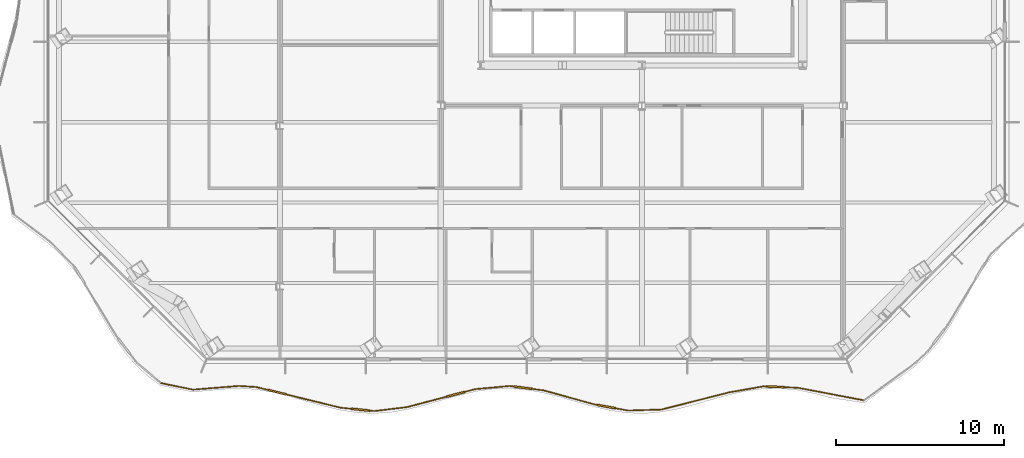
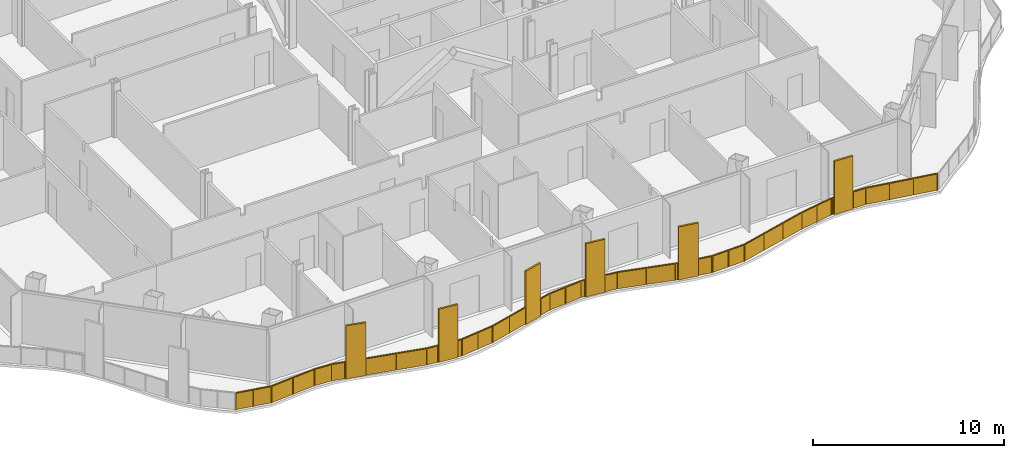
# One storey, part 14 of 19: 1 railing.
"""IFC4 building model written with IfcOpenShell, lengths in metres."""

from ifc_helpers import new_model, si_unit, direction, frame, origin, origin_2d, place, context, subcontext, project, spatial, polyline, rectangle, outline, extrude, material, type_object, element, save


model = new_model("IFC4")

# Units and contexts
model_context = context("Model", 3, precision=1e-05, world=origin(), true_north=direction((0.0, 1.0)))
body_context = subcontext(model_context, "Body", "Model", "MODEL_VIEW")
ifc_project = project(units=[si_unit("LENGTHUNIT", "METRE"), si_unit("AREAUNIT", "SQUARE_METRE"), si_unit("VOLUMEUNIT", "CUBIC_METRE"), si_unit("PLANEANGLEUNIT", "RADIAN"), si_unit("MASSUNIT", "GRAM", prefix="KILO")], contexts=[model_context])

# Site, building, storey
site_placement = place(None, origin())
site = spatial("IfcSite", under=ifc_project, at=site_placement, CompositionType="ELEMENT")
building_placement = place(site_placement, origin())
building = spatial("IfcBuilding", under=site, at=building_placement, Name="Cairn Pilgrim Tower", CompositionType="ELEMENT")
storey_placement = place(building_placement, frame((0.0, 0.0, 90.60009765625)))
storey = spatial("IfcBuildingStorey", under=building, at=storey_placement, Name="L21", CompositionType="ELEMENT", Elevation=90.60009765625)

# Railing
ifc_material = material(Name="Bronze anodised aluminium rail, posts and fin screens with laminated glass infill", Category="aluminium")
railing_type = type_object("IfcRailingType", Name="BALCONY GUARD WITH FIN SCREENS", PredefinedType="GUARDRAIL", material=ifc_material)
railing_placement = place(storey_placement, frame((-21.50048828125, -24.964111328125, 0.0)))
element("IfcRailing", 1, at=railing_placement, inside=storey, type_object=railing_type, Name="Balcony guard BGF-8 with fin screens", PredefinedType="GUARDRAIL", context=body_context, shape_type="SweptSolid", body=[
    extrude(rectangle(XDim=0.050048828125, YDim=0.050048828125, at=origin_2d()), frame((0.0, 0.0, 1.0751953125), z_axis=(0.97987880779, -0.199593391784, 0.0), x_axis=(0.199593391784, 0.97987880779, 0.0)), (0.0, 0.0, 1.0), 1.95703125),
    extrude(rectangle(XDim=0.050048828125, YDim=0.050048828125, at=origin_2d()), frame((1.917724609375, -0.390625, 1.0751953125), z_axis=(0.996788509865, 0.080079127126, 0.0), x_axis=(-0.080079127126, 0.996788509865, 0.0)), (0.0, 0.0, 1.0), 2.731689453125),
    extrude(rectangle(XDim=0.050048828125, YDim=0.050048828125, at=origin_2d()), frame((4.640625, -0.171875, 1.0751953125), z_axis=(0.998193842621, -0.060075390576, 0.0), x_axis=(0.060075390576, 0.998193842621, 0.0)), (0.0, 0.0, 1.0), 1.036376953125),
    extrude(rectangle(XDim=1.10009765625, YDim=0.110107421875, at=origin_2d()), frame((6.9384765625, -0.54345703125, 0.0), z_axis=(0.0, 0.0, 1.0), x_axis=(0.971322740199, -0.237764872033, 0.0)), (0.0, 0.0, 1.0), 3.39990234375),
    extrude(rectangle(XDim=0.050048828125, YDim=0.050048828125, at=origin_2d()), frame((5.675048828125, -0.234130859375, 1.0751953125), z_axis=(0.971322740199, -0.237764872033, 0.0), x_axis=(0.237764872033, 0.971322740199, 0.0)), (0.0, 0.0, 1.0), 0.750732421875),
    extrude(rectangle(XDim=0.050048828125, YDim=0.050048828125, at=origin_2d()), frame((7.472900390625, -0.674072265625, 1.0751953125), z_axis=(0.971322740199, -0.237764872033, 0.0), x_axis=(0.237764872033, 0.971322740199, 0.0)), (0.0, 0.0, 1.0), 3.35400390625),
    extrude(rectangle(XDim=1.10009765625, YDim=0.110107421875, at=origin_2d()), frame((11.919921875, -1.59033203125, 0.0), z_axis=(0.0, 0.0, 1.0), x_axis=(0.995057676602, -0.099298641659, 0.0)), (0.0, 0.0, 1.0), 3.39990234375),
    extrude(rectangle(XDim=0.050048828125, YDim=0.050048828125, at=origin_2d()), frame((10.730712890625, -1.4716796875, 1.0751953125), z_axis=(0.995057676602, -0.099298641659, 0.0), x_axis=(0.099298641659, 0.995057676602, 0.0)), (0.0, 0.0, 1.0), 0.64501953125),
    extrude(rectangle(XDim=0.050048828125, YDim=0.050048828125, at=origin_2d()), frame((12.467041015625, -1.64501953125, 1.0751953125), z_axis=(0.995057676602, -0.099298641659, 0.0), x_axis=(0.099298641659, 0.995057676602, 0.0)), (0.0, 0.0, 1.0), 0.2587890625),
    extrude(rectangle(XDim=0.050048828125, YDim=0.050048828125, at=origin_2d()), frame((12.724609375, -1.670654296875, 1.0751953125), z_axis=(0.992678251449, 0.120788613287, 0.0), x_axis=(-0.120788613287, 0.992678251449, 0.0)), (0.0, 0.0, 1.0), 2.009033203125),
    extrude(rectangle(XDim=1.10009765625, YDim=0.110107421875, at=origin_2d()), frame((17.575927734375, -0.67333984375, 0.0), z_axis=(0.0, 0.0, 1.0), x_axis=(0.966847338892, 0.255355092524, 0.0)), (0.0, 0.0, 1.0), 3.39990234375),
    extrude(rectangle(XDim=0.050048828125, YDim=0.050048828125, at=origin_2d()), frame((14.718994140625, -1.427978515625, 1.0751953125), z_axis=(0.966847338892, 0.255355092524, 0.0), x_axis=(-0.255355092524, 0.966847338892, 0.0)), (0.0, 0.0, 1.0), 2.405029296875),
    extrude(rectangle(XDim=0.050048828125, YDim=0.050048828125, at=origin_2d()), frame((18.10791015625, -0.532958984375, 1.0751953125), z_axis=(0.966847338892, 0.255355092524, 0.0), x_axis=(-0.255355092524, 0.966847338892, 0.0)), (0.0, 0.0, 1.0), 0.677978515625),
    extrude(rectangle(XDim=0.050048828125, YDim=0.050048828125, at=origin_2d()), frame((18.76318359375, -0.35986328125, 1.0751953125), z_axis=(0.99588737229, 0.090599899075, 0.0), x_axis=(-0.090599899075, 0.99588737229, 0.0)), (0.0, 0.0, 1.0), 2.058837890625),
    extrude(rectangle(XDim=1.10009765625, YDim=0.110107421875, at=origin_2d()), frame((21.59912109375, -0.275634765625, 0.0), z_axis=(0.0, 0.0, 1.0), x_axis=(0.991616883413, -0.129212834236, 0.0)), (0.0, 0.0, 1.0), 3.39990234375),
    extrude(rectangle(XDim=0.050048828125, YDim=0.050048828125, at=origin_2d()), frame((20.8134765625, -0.17333984375, 1.0751953125), z_axis=(0.991616883413, -0.129212834236, 0.0), x_axis=(0.129212834236, 0.991616883413, 0.0)), (0.0, 0.0, 1.0), 0.242431640625),
    extrude(rectangle(XDim=0.050048828125, YDim=0.050048828125, at=origin_2d()), frame((22.14453125, -0.3466796875, 1.0751953125), z_axis=(0.991616883413, -0.129212834236, 0.0), x_axis=(0.129212834236, 0.991616883413, 0.0)), (0.0, 0.0, 1.0), 0.722900390625),
    extrude(rectangle(XDim=0.050048828125, YDim=0.050048828125, at=origin_2d()), frame((22.861328125, -0.440185546875, 1.0751953125), z_axis=(0.964002899306, -0.265891726329, 0.0), x_axis=(0.265891726329, 0.964002899306, 0.0)), (0.0, 0.0, 1.0), 3.1484375),
    extrude(rectangle(XDim=1.10009765625, YDim=0.110107421875, at=origin_2d()), frame((26.585205078125, -1.402587890625, 0.0), z_axis=(0.0, 0.0, 1.0), x_axis=(0.983881444956, -0.178821984866, 0.0)), (0.0, 0.0, 1.0), 3.39990234375),
    extrude(rectangle(XDim=0.050048828125, YDim=0.050048828125, at=origin_2d()), frame((25.896484375, -1.27734375, 1.0751953125), z_axis=(0.983881444956, -0.178821984866, 0.0), x_axis=(0.178821984866, 0.983881444956, 0.0)), (0.0, 0.0, 1.0), 0.150146484375),
    extrude(rectangle(XDim=0.050048828125, YDim=0.050048828125, at=origin_2d()), frame((27.12646484375, -1.5009765625, 1.0751953125), z_axis=(0.983881444956, -0.178821984866, 0.0), x_axis=(0.178821984866, 0.983881444956, 0.0)), (0.0, 0.0, 1.0), 0.781494140625),
    extrude(rectangle(XDim=0.050048828125, YDim=0.050048828125, at=origin_2d()), frame((27.895263671875, -1.640625, 1.0751953125), z_axis=(0.999525627478, 0.030798052111, 0.0), x_axis=(-0.030798052111, 0.999525627478, 0.0)), (0.0, 0.0, 1.0), 1.98974609375),
    extrude(rectangle(XDim=0.050048828125, YDim=0.050048828125, at=origin_2d()), frame((29.884033203125, -1.579345703125, 1.0751953125), z_axis=(0.969048950368, 0.246868652913, 0.0), x_axis=(-0.246868652913, 0.969048950368, 0.0)), (0.0, 0.0, 1.0), 4.160400390625),
    extrude(rectangle(XDim=0.050048828125, YDim=0.050048828125, at=origin_2d()), frame((33.915771484375, -0.55224609375, 1.0751953125), z_axis=(0.985151194634, 0.171689032008, 0.0), x_axis=(-0.171689032008, 0.985151194634, 0.0)), (0.0, 0.0, 1.0), 2.0732421875),
    extrude(rectangle(XDim=1.10009765625, YDim=0.110107421875, at=origin_2d()), frame((36.657958984375, -0.224365234375, 0.0), z_axis=(0.0, 0.0, 1.0), x_axis=(0.999194286274, -0.040134502321, 0.0)), (0.0, 0.0, 1.0), 3.39990234375),
    extrude(rectangle(XDim=0.050048828125, YDim=0.050048828125, at=origin_2d()), frame((35.958251953125, -0.1962890625, 1.0751953125), z_axis=(0.999194286274, -0.040134502321, 0.0), x_axis=(0.040134502321, 0.999194286274, 0.0)), (0.0, 0.0, 1.0), 0.150390625),
    extrude(rectangle(XDim=0.050048828125, YDim=0.050048828125, at=origin_2d()), frame((37.20751953125, -0.24658203125, 1.0751953125), z_axis=(0.999194286274, -0.040134502321, 0.0), x_axis=(0.040134502321, 0.999194286274, 0.0)), (0.0, 0.0, 1.0), 0.799560546875),
    extrude(rectangle(XDim=0.050048828125, YDim=0.050048828125, at=origin_2d()), frame((38.006591796875, -0.278564453125, 1.0751953125), z_axis=(0.982461085783, -0.186467731586, 0.0), x_axis=(0.186467731586, 0.982461085783, 0.0)), (0.0, 0.0, 1.0), 3.9697265625),
    extrude(rectangle(XDim=0.050048828125, YDim=0.050048828125, at=origin_2d()), origin(), (0.0, 0.0, 1.0), 1.050048828125),
    extrude(rectangle(XDim=0.050048828125, YDim=0.050048828125, at=origin_2d()), frame((0.958984375, -0.1953125, 0.0)), (0.0, 0.0, 1.0), 1.050048828125),
    extrude(rectangle(XDim=0.050048828125, YDim=0.050048828125, at=origin_2d()), frame((1.917724609375, -0.390625, 0.0)), (0.0, 0.0, 1.0), 1.050048828125),
    extrude(rectangle(XDim=0.050048828125, YDim=0.050048828125, at=origin_2d()), frame((3.279296875, -0.28125, 0.0)), (0.0, 0.0, 1.0), 1.050048828125),
    extrude(rectangle(XDim=0.050048828125, YDim=0.050048828125, at=origin_2d()), frame((4.640625, -0.171875, 0.0)), (0.0, 0.0, 1.0), 1.050048828125),
    extrude(rectangle(XDim=0.050048828125, YDim=0.050048828125, at=origin_2d()), frame((5.675048828125, -0.234130859375, 0.0)), (0.0, 0.0, 1.0), 1.050048828125),
    extrude(rectangle(XDim=0.050048828125, YDim=0.050048828125, at=origin_2d()), frame((6.380126953125, -0.40673828125, 0.0)), (0.0, 0.0, 1.0), 1.050048828125),
    extrude(rectangle(XDim=0.050048828125, YDim=0.050048828125, at=origin_2d()), frame((7.4970703125, -0.68017578125, 0.0)), (0.0, 0.0, 1.0), 1.050048828125),
    extrude(rectangle(XDim=0.050048828125, YDim=0.050048828125, at=origin_2d()), frame((9.114013671875, -1.075927734375, 0.0)), (0.0, 0.0, 1.0), 1.050048828125),
    extrude(rectangle(XDim=0.050048828125, YDim=0.050048828125, at=origin_2d()), frame((10.730712890625, -1.4716796875, 0.0)), (0.0, 0.0, 1.0), 1.050048828125),
    extrude(rectangle(XDim=0.050048828125, YDim=0.050048828125, at=origin_2d()), frame((11.34765625, -1.533203125, 0.0)), (0.0, 0.0, 1.0), 1.050048828125),
    extrude(rectangle(XDim=0.050048828125, YDim=0.050048828125, at=origin_2d()), frame((12.491943359375, -1.6474609375, 0.0)), (0.0, 0.0, 1.0), 1.050048828125),
    extrude(rectangle(XDim=0.050048828125, YDim=0.050048828125, at=origin_2d()), frame((12.724609375, -1.670654296875, 0.0)), (0.0, 0.0, 1.0), 1.050048828125),
    extrude(rectangle(XDim=0.050048828125, YDim=0.050048828125, at=origin_2d()), frame((13.7216796875, -1.54931640625, 0.0)), (0.0, 0.0, 1.0), 1.050048828125),
    extrude(rectangle(XDim=0.050048828125, YDim=0.050048828125, at=origin_2d()), frame((14.718994140625, -1.427978515625, 0.0)), (0.0, 0.0, 1.0), 1.050048828125),
    extrude(rectangle(XDim=0.050048828125, YDim=0.050048828125, at=origin_2d()), frame((15.86962890625, -1.1240234375, 0.0)), (0.0, 0.0, 1.0), 1.050048828125),
    extrude(rectangle(XDim=0.050048828125, YDim=0.050048828125, at=origin_2d()), frame((17.02001953125, -0.8203125, 0.0)), (0.0, 0.0, 1.0), 1.050048828125),
    extrude(rectangle(XDim=0.050048828125, YDim=0.050048828125, at=origin_2d()), frame((18.132080078125, -0.526611328125, 0.0)), (0.0, 0.0, 1.0), 1.050048828125),
    extrude(rectangle(XDim=0.050048828125, YDim=0.050048828125, at=origin_2d()), frame((18.76318359375, -0.35986328125, 0.0)), (0.0, 0.0, 1.0), 1.050048828125),
    extrude(rectangle(XDim=0.050048828125, YDim=0.050048828125, at=origin_2d()), frame((19.788330078125, -0.2666015625, 0.0)), (0.0, 0.0, 1.0), 1.050048828125),
    extrude(rectangle(XDim=0.050048828125, YDim=0.050048828125, at=origin_2d()), frame((20.8134765625, -0.17333984375, 0.0)), (0.0, 0.0, 1.0), 1.050048828125),
    extrude(rectangle(XDim=0.050048828125, YDim=0.050048828125, at=origin_2d()), frame((21.029052734375, -0.201416015625, 0.0)), (0.0, 0.0, 1.0), 1.050048828125),
    extrude(rectangle(XDim=0.050048828125, YDim=0.050048828125, at=origin_2d()), frame((22.16943359375, -0.35009765625, 0.0)), (0.0, 0.0, 1.0), 1.050048828125),
    extrude(rectangle(XDim=0.050048828125, YDim=0.050048828125, at=origin_2d()), frame((22.861328125, -0.440185546875, 0.0)), (0.0, 0.0, 1.0), 1.050048828125),
    extrude(rectangle(XDim=0.050048828125, YDim=0.050048828125, at=origin_2d()), frame((24.37890625, -0.85888671875, 0.0)), (0.0, 0.0, 1.0), 1.050048828125),
    extrude(rectangle(XDim=0.050048828125, YDim=0.050048828125, at=origin_2d()), frame((25.896484375, -1.27734375, 0.0)), (0.0, 0.0, 1.0), 1.050048828125),
    extrude(rectangle(XDim=0.050048828125, YDim=0.050048828125, at=origin_2d()), frame((26.01953125, -1.2998046875, 0.0)), (0.0, 0.0, 1.0), 1.050048828125),
    extrude(rectangle(XDim=0.050048828125, YDim=0.050048828125, at=origin_2d()), frame((27.151123046875, -1.50537109375, 0.0)), (0.0, 0.0, 1.0), 1.050048828125),
    extrude(rectangle(XDim=0.050048828125, YDim=0.050048828125, at=origin_2d()), frame((27.895263671875, -1.640625, 0.0)), (0.0, 0.0, 1.0), 1.050048828125),
    extrude(rectangle(XDim=0.050048828125, YDim=0.050048828125, at=origin_2d()), frame((28.8896484375, -1.60986328125, 0.0)), (0.0, 0.0, 1.0), 1.050048828125),
    extrude(rectangle(XDim=0.050048828125, YDim=0.050048828125, at=origin_2d()), frame((29.884033203125, -1.579345703125, 0.0)), (0.0, 0.0, 1.0), 1.050048828125),
    extrude(rectangle(XDim=0.050048828125, YDim=0.050048828125, at=origin_2d()), frame((31.22802734375, -1.237060546875, 0.0)), (0.0, 0.0, 1.0), 1.050048828125),
    extrude(rectangle(XDim=0.050048828125, YDim=0.050048828125, at=origin_2d()), frame((32.57177734375, -0.89453125, 0.0)), (0.0, 0.0, 1.0), 1.050048828125),
    extrude(rectangle(XDim=0.050048828125, YDim=0.050048828125, at=origin_2d()), frame((33.915771484375, -0.55224609375, 0.0)), (0.0, 0.0, 1.0), 1.050048828125),
    extrude(rectangle(XDim=0.050048828125, YDim=0.050048828125, at=origin_2d()), frame((34.93701171875, -0.374267578125, 0.0)), (0.0, 0.0, 1.0), 1.050048828125),
    extrude(rectangle(XDim=0.050048828125, YDim=0.050048828125, at=origin_2d()), frame((35.958251953125, -0.1962890625, 0.0)), (0.0, 0.0, 1.0), 1.050048828125),
    extrude(rectangle(XDim=0.050048828125, YDim=0.050048828125, at=origin_2d()), frame((36.08349609375, -0.201416015625, 0.0)), (0.0, 0.0, 1.0), 1.050048828125),
    extrude(rectangle(XDim=0.050048828125, YDim=0.050048828125, at=origin_2d()), frame((37.232666015625, -0.24755859375, 0.0)), (0.0, 0.0, 1.0), 1.050048828125),
    extrude(rectangle(XDim=0.050048828125, YDim=0.050048828125, at=origin_2d()), frame((38.006591796875, -0.278564453125, 0.0)), (0.0, 0.0, 1.0), 1.050048828125),
    extrude(rectangle(XDim=0.050048828125, YDim=0.050048828125, at=origin_2d()), frame((39.306640625, -0.525390625, 0.0)), (0.0, 0.0, 1.0), 1.050048828125),
    extrude(rectangle(XDim=0.050048828125, YDim=0.050048828125, at=origin_2d()), frame((40.606689453125, -0.77197265625, 0.0)), (0.0, 0.0, 1.0), 1.050048828125),
    extrude(rectangle(XDim=0.050048828125, YDim=0.050048828125, at=origin_2d()), frame((41.90673828125, -1.018798828125, 0.0)), (0.0, 0.0, 1.0), 1.050048828125),
    extrude(outline(polyline([(0.02490234375, 0.0), (0.95361328125, 0.0), (0.95361328125, 1.050048828125), (0.02490234375, 1.050048828125), (0.02490234375, 0.0)])), frame((0.001220703125, 0.005859375, 0.0), z_axis=(-0.199593391784, -0.97987880779, 0.0), x_axis=(0.97987880779, -0.199593391784, 0.0)), (0.0, 0.0, 1.0), 0.011962890625),
    extrude(outline(polyline([(0.02490234375, 0.0), (0.95361328125, 0.0), (0.95361328125, 1.050048828125), (0.02490234375, 1.050048828125), (0.02490234375, 0.0)])), frame((0.9599609375, -0.189453125, 0.0), z_axis=(-0.199593391784, -0.97987880779, 0.0), x_axis=(0.97987880779, -0.199593391784, 0.0)), (0.0, 0.0, 1.0), 0.011962890625),
    extrude(outline(polyline([(0.02490234375, 0.0), (1.3408203125, 0.0), (1.3408203125, 1.050048828125), (0.02490234375, 1.050048828125), (0.02490234375, 0.0)])), frame((1.917236328125, -0.384765625, 0.0), z_axis=(0.080079127126, -0.996788509865, 0.0), x_axis=(0.996788509865, 0.080079127126, 0.0)), (0.0, 0.0, 1.0), 0.011962890625),
    extrude(outline(polyline([(0.02490234375, 0.0), (1.3408203125, 0.0), (1.3408203125, 1.050048828125), (0.02490234375, 1.050048828125), (0.02490234375, 0.0)])), frame((3.27880859375, -0.275390625, 0.0), z_axis=(0.080079127126, -0.996788509865, 0.0), x_axis=(0.996788509865, 0.080079127126, 0.0)), (0.0, 0.0, 1.0), 0.011962890625),
    extrude(outline(polyline([(0.02490234375, 0.0), (1.01123046875, 0.0), (1.01123046875, 1.050048828125), (0.02490234375, 1.050048828125), (0.02490234375, 0.0)])), frame((4.640869140625, -0.166015625, 0.0), z_axis=(-0.060075390576, -0.998193842621, 0.0), x_axis=(0.998193842621, -0.060075390576, 0.0)), (0.0, 0.0, 1.0), 0.011962890625),
    extrude(outline(polyline([(0.02490234375, 0.0), (0.70068359375, 0.0), (0.70068359375, 1.050048828125), (0.02490234375, 1.050048828125), (0.02490234375, 0.0)])), frame((5.676513671875, -0.228271484375, 0.0), z_axis=(-0.237764872033, -0.971322740199, 0.0), x_axis=(0.971322740199, -0.237764872033, 0.0)), (0.0, 0.0, 1.0), 0.011962890625),
    extrude(outline(polyline([(0.02490234375, 0.0), (1.639404296875, 0.0), (1.639404296875, 1.050048828125), (0.02490234375, 1.050048828125), (0.02490234375, 0.0)])), frame((7.49853515625, -0.67431640625, 0.0), z_axis=(-0.237764872033, -0.971322740199, 0.0), x_axis=(0.971322740199, -0.237764872033, 0.0)), (0.0, 0.0, 1.0), 0.011962890625),
    extrude(outline(polyline([(0.02490234375, 0.0), (1.639404296875, 0.0), (1.639404296875, 1.050048828125), (0.02490234375, 1.050048828125), (0.02490234375, 0.0)])), frame((9.115234375, -1.070068359375, 0.0), z_axis=(-0.237764872033, -0.971322740199, 0.0), x_axis=(0.971322740199, -0.237764872033, 0.0)), (0.0, 0.0, 1.0), 0.011962890625),
    extrude(outline(polyline([(0.02490234375, 0.0), (0.594970703125, 0.0), (0.594970703125, 1.050048828125), (0.02490234375, 1.050048828125), (0.02490234375, 0.0)])), frame((10.731201171875, -1.4658203125, 0.0), z_axis=(-0.099298641659, -0.995057676602, 0.0), x_axis=(0.995057676602, -0.099298641659, 0.0)), (0.0, 0.0, 1.0), 0.011962890625),
    extrude(outline(polyline([(0.02490234375, 0.0), (0.208740234375, 0.0), (0.208740234375, 1.050048828125), (0.02490234375, 1.050048828125), (0.02490234375, 0.0)])), frame((12.49267578125, -1.6416015625, 0.0), z_axis=(-0.099298641659, -0.995057676602, 0.0), x_axis=(0.995057676602, -0.099298641659, 0.0)), (0.0, 0.0, 1.0), 0.011962890625),
    extrude(outline(polyline([(0.02490234375, 0.0), (0.9794921875, 0.0), (0.9794921875, 1.050048828125), (0.02490234375, 1.050048828125), (0.02490234375, 0.0)])), frame((12.723876953125, -1.664794921875, 0.0), z_axis=(0.120788613287, -0.992678251449, 0.0), x_axis=(0.992678251449, 0.120788613287, 0.0)), (0.0, 0.0, 1.0), 0.011962890625),
    extrude(outline(polyline([(0.02490234375, 0.0), (0.9794921875, 0.0), (0.9794921875, 1.050048828125), (0.02490234375, 1.050048828125), (0.02490234375, 0.0)])), frame((13.72119140625, -1.54345703125, 0.0), z_axis=(0.120788613287, -0.992678251449, 0.0), x_axis=(0.992678251449, 0.120788613287, 0.0)), (0.0, 0.0, 1.0), 0.011962890625),
    extrude(outline(polyline([(0.02490234375, 0.0), (1.1650390625, 0.0), (1.1650390625, 1.050048828125), (0.02490234375, 1.050048828125), (0.02490234375, 0.0)])), frame((14.717529296875, -1.422119140625, 0.0), z_axis=(0.255355092524, -0.966847338892, 0.0), x_axis=(0.966847338892, 0.255355092524, 0.0)), (0.0, 0.0, 1.0), 0.011962890625),
    extrude(outline(polyline([(0.02490234375, 0.0), (1.1650390625, 0.0), (1.1650390625, 1.050048828125), (0.02490234375, 1.050048828125), (0.02490234375, 0.0)])), frame((15.867919921875, -1.118408203125, 0.0), z_axis=(0.255355092524, -0.966847338892, 0.0), x_axis=(0.966847338892, 0.255355092524, 0.0)), (0.0, 0.0, 1.0), 0.011962890625),
    extrude(outline(polyline([(0.02490234375, 0.0), (0.6279296875, 0.0), (0.6279296875, 1.050048828125), (0.02490234375, 1.050048828125), (0.02490234375, 0.0)])), frame((18.13037109375, -0.520751953125, 0.0), z_axis=(0.255355092524, -0.966847338892, 0.0), x_axis=(0.966847338892, 0.255355092524, 0.0)), (0.0, 0.0, 1.0), 0.011962890625),
    extrude(outline(polyline([(0.02490234375, 0.0), (1.00439453125, 0.0), (1.00439453125, 1.050048828125), (0.02490234375, 1.050048828125), (0.02490234375, 0.0)])), frame((18.7626953125, -0.35400390625, 0.0), z_axis=(0.090599899075, -0.99588737229, 0.0), x_axis=(0.99588737229, 0.090599899075, 0.0)), (0.0, 0.0, 1.0), 0.011962890625),
    extrude(outline(polyline([(0.02490234375, 0.0), (1.00439453125, 0.0), (1.00439453125, 1.050048828125), (0.02490234375, 1.050048828125), (0.02490234375, 0.0)])), frame((19.787841796875, -0.2607421875, 0.0), z_axis=(0.090599899075, -0.99588737229, 0.0), x_axis=(0.99588737229, 0.090599899075, 0.0)), (0.0, 0.0, 1.0), 0.011962890625),
    extrude(outline(polyline([(0.02490234375, 0.0), (0.1923828125, 0.0), (0.1923828125, 1.050048828125), (0.02490234375, 1.050048828125), (0.02490234375, 0.0)])), frame((20.814208984375, -0.16748046875, 0.0), z_axis=(-0.129212834236, -0.991616883413, 0.0), x_axis=(0.991616883413, -0.129212834236, 0.0)), (0.0, 0.0, 1.0), 0.011962890625),
    extrude(outline(polyline([(0.02490234375, 0.0), (0.6728515625, 0.0), (0.6728515625, 1.050048828125), (0.02490234375, 1.050048828125), (0.02490234375, 0.0)])), frame((22.170166015625, -0.343994140625, 0.0), z_axis=(-0.129212834236, -0.991616883413, 0.0), x_axis=(0.991616883413, -0.129212834236, 0.0)), (0.0, 0.0, 1.0), 0.011962890625),
    extrude(outline(polyline([(0.02490234375, 0.0), (1.54931640625, 0.0), (1.54931640625, 1.050048828125), (0.02490234375, 1.050048828125), (0.02490234375, 0.0)])), frame((22.863037109375, -0.434326171875, 0.0), z_axis=(-0.265891726329, -0.964002899306, 0.0), x_axis=(0.964002899306, -0.265891726329, 0.0)), (0.0, 0.0, 1.0), 0.011962890625),
    extrude(outline(polyline([(0.02490234375, 0.0), (1.54931640625, 0.0), (1.54931640625, 1.050048828125), (0.02490234375, 1.050048828125), (0.02490234375, 0.0)])), frame((24.380615234375, -0.85302734375, 0.0), z_axis=(-0.265891726329, -0.964002899306, 0.0), x_axis=(0.964002899306, -0.265891726329, 0.0)), (0.0, 0.0, 1.0), 0.011962890625),
    extrude(outline(polyline([(0.02490234375, 0.0), (0.10009765625, 0.0), (0.10009765625, 1.050048828125), (0.02490234375, 1.050048828125), (0.02490234375, 0.0)])), frame((25.8974609375, -1.271484375, 0.0), z_axis=(-0.178821984866, -0.983881444956, 0.0), x_axis=(0.983881444956, -0.178821984866, 0.0)), (0.0, 0.0, 1.0), 0.011962890625),
    extrude(outline(polyline([(0.02490234375, 0.0), (0.7314453125, 0.0), (0.7314453125, 1.050048828125), (0.02490234375, 1.050048828125), (0.02490234375, 0.0)])), frame((27.152099609375, -1.49951171875, 0.0), z_axis=(-0.178821984866, -0.983881444956, 0.0), x_axis=(0.983881444956, -0.178821984866, 0.0)), (0.0, 0.0, 1.0), 0.011962890625),
    extrude(outline(polyline([(0.02490234375, 0.0), (0.9697265625, 0.0), (0.9697265625, 1.050048828125), (0.02490234375, 1.050048828125), (0.02490234375, 0.0)])), frame((27.89501953125, -1.634765625, 0.0), z_axis=(0.030798052111, -0.999525627478, 0.0), x_axis=(0.999525627478, 0.030798052111, 0.0)), (0.0, 0.0, 1.0), 0.011962890625),
    extrude(outline(polyline([(0.02490234375, 0.0), (0.9697265625, 0.0), (0.9697265625, 1.050048828125), (0.02490234375, 1.050048828125), (0.02490234375, 0.0)])), frame((28.889404296875, -1.60400390625, 0.0), z_axis=(0.030798052111, -0.999525627478, 0.0), x_axis=(0.999525627478, 0.030798052111, 0.0)), (0.0, 0.0, 1.0), 0.011962890625),
    extrude(outline(polyline([(0.02490234375, 0.0), (1.36181640625, 0.0), (1.36181640625, 1.050048828125), (0.02490234375, 1.050048828125), (0.02490234375, 0.0)])), frame((29.882568359375, -1.573486328125, 0.0), z_axis=(0.246868652913, -0.969048950368, 0.0), x_axis=(0.969048950368, 0.246868652913, 0.0)), (0.0, 0.0, 1.0), 0.011962890625),
    extrude(outline(polyline([(0.02490234375, 0.0), (1.36181640625, 0.0), (1.36181640625, 1.050048828125), (0.02490234375, 1.050048828125), (0.02490234375, 0.0)])), frame((31.2265625, -1.231201171875, 0.0), z_axis=(0.246868652913, -0.969048950368, 0.0), x_axis=(0.969048950368, 0.246868652913, 0.0)), (0.0, 0.0, 1.0), 0.011962890625),
    extrude(outline(polyline([(0.02490234375, 0.0), (1.36181640625, 0.0), (1.36181640625, 1.050048828125), (0.02490234375, 1.050048828125), (0.02490234375, 0.0)])), frame((32.5703125, -0.888916015625, 0.0), z_axis=(0.246868652913, -0.969048950368, 0.0), x_axis=(0.969048950368, 0.246868652913, 0.0)), (0.0, 0.0, 1.0), 0.011962890625),
    extrude(outline(polyline([(0.02490234375, 0.0), (1.01171875, 0.0), (1.01171875, 1.050048828125), (0.02490234375, 1.050048828125), (0.02490234375, 0.0)])), frame((33.914794921875, -0.54638671875, 0.0), z_axis=(0.171689032008, -0.985151194634, 0.0), x_axis=(0.985151194634, 0.171689032008, 0.0)), (0.0, 0.0, 1.0), 0.011962890625),
    extrude(outline(polyline([(0.02490234375, 0.0), (1.01171875, 0.0), (1.01171875, 1.050048828125), (0.02490234375, 1.050048828125), (0.02490234375, 0.0)])), frame((34.93603515625, -0.368408203125, 0.0), z_axis=(0.171689032008, -0.985151194634, 0.0), x_axis=(0.985151194634, 0.171689032008, 0.0)), (0.0, 0.0, 1.0), 0.011962890625),
    extrude(outline(polyline([(0.02490234375, 0.0), (0.100341796875, 0.0), (0.100341796875, 1.050048828125), (0.02490234375, 1.050048828125), (0.02490234375, 0.0)])), frame((35.95849609375, -0.1904296875, 0.0), z_axis=(-0.040134502321, -0.999194286274, 0.0), x_axis=(0.999194286274, -0.040134502321, 0.0)), (0.0, 0.0, 1.0), 0.011962890625),
    extrude(outline(polyline([(0.02490234375, 0.0), (0.74951171875, 0.0), (0.74951171875, 1.050048828125), (0.02490234375, 1.050048828125), (0.02490234375, 0.0)])), frame((37.23291015625, -0.241455078125, 0.0), z_axis=(-0.040134502321, -0.999194286274, 0.0), x_axis=(0.999194286274, -0.040134502321, 0.0)), (0.0, 0.0, 1.0), 0.011962890625),
    extrude(outline(polyline([(0.02490234375, 0.0), (1.29833984375, 0.0), (1.29833984375, 1.050048828125), (0.02490234375, 1.050048828125), (0.02490234375, 0.0)])), frame((38.0078125, -0.272705078125, 0.0), z_axis=(-0.186467731586, -0.982461085783, 0.0), x_axis=(0.982461085783, -0.186467731586, 0.0)), (0.0, 0.0, 1.0), 0.011962890625),
    extrude(outline(polyline([(0.02490234375, 0.0), (1.29833984375, 0.0), (1.29833984375, 1.050048828125), (0.02490234375, 1.050048828125), (0.02490234375, 0.0)])), frame((39.307861328125, -0.51953125, 0.0), z_axis=(-0.186467731586, -0.982461085783, 0.0), x_axis=(0.982461085783, -0.186467731586, 0.0)), (0.0, 0.0, 1.0), 0.011962890625),
    extrude(outline(polyline([(0.02490234375, 0.0), (1.29833984375, 0.0), (1.29833984375, 1.050048828125), (0.02490234375, 1.050048828125), (0.02490234375, 0.0)])), frame((40.60791015625, -0.76611328125, 0.0), z_axis=(-0.186467731586, -0.982461085783, 0.0), x_axis=(0.982461085783, -0.186467731586, 0.0)), (0.0, 0.0, 1.0), 0.011962890625),
])

save(model, "model.ifc")
